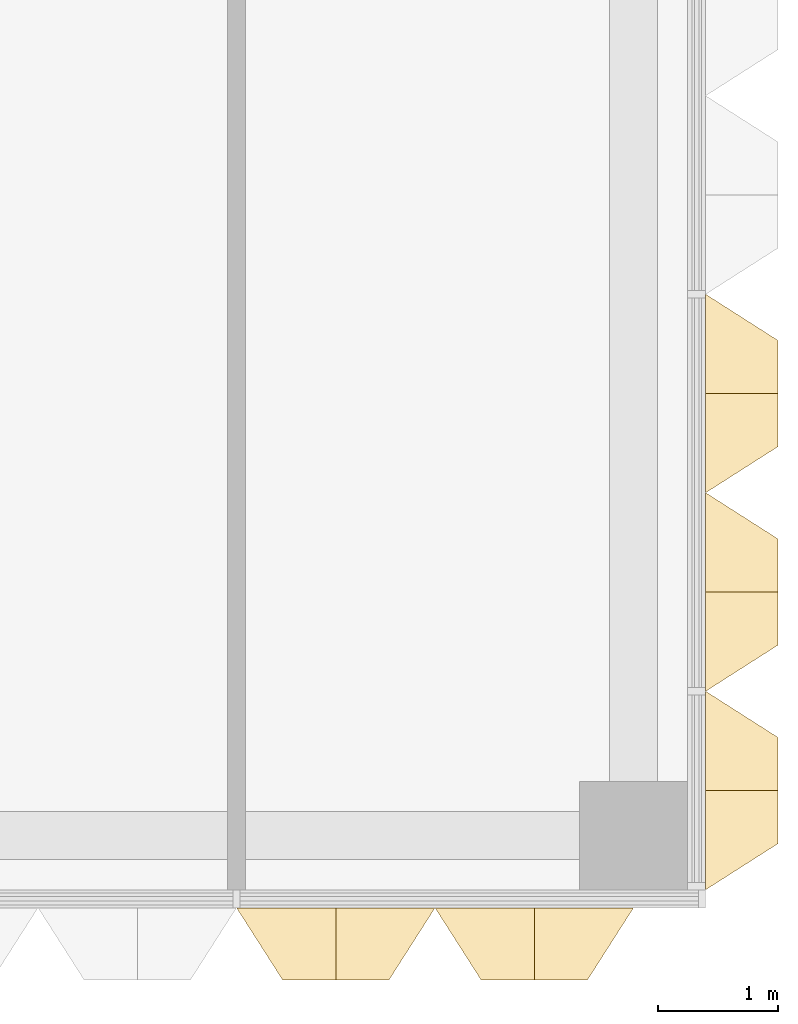
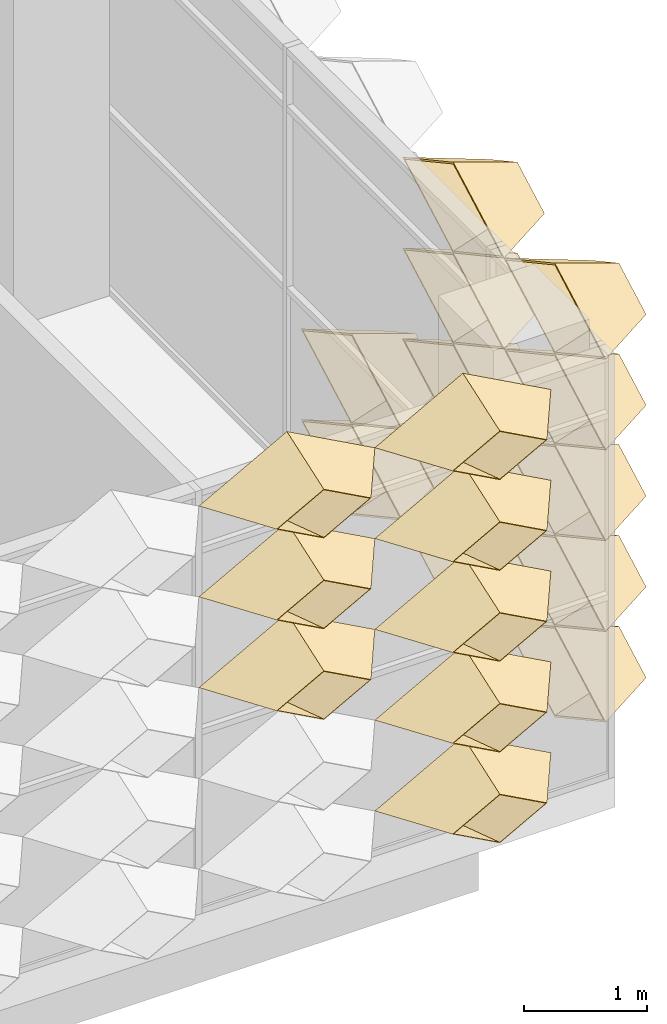
# One storey, part 79 of 109: 20 coverings.
"""IFC4 building model written with IfcOpenShell, lengths in metres."""

from ifc_helpers import new_model, entity, si_unit, direction, frame, origin, place, context, subcontext, project, spatial, material, layer, layer_set, type_object, element, save


model = new_model("IFC4")

# Units and contexts
model_context = context("Model", 3, precision=1e-05, world=origin(), true_north=direction((0.0, 1.0)))
body_context = subcontext(model_context, "Body", "Model", "MODEL_VIEW")
ifc_project = project(units=[si_unit("LENGTHUNIT", "METRE"), si_unit("AREAUNIT", "SQUARE_METRE"), si_unit("VOLUMEUNIT", "CUBIC_METRE"), si_unit("PLANEANGLEUNIT", "RADIAN"), si_unit("MASSUNIT", "GRAM", prefix="KILO")], contexts=[model_context])

# Site, building, storey
site_placement = place(None, origin())
site = spatial("IfcSite", under=ifc_project, at=site_placement, CompositionType="ELEMENT")
building_placement = place(site_placement, origin())
building = spatial("IfcBuilding", under=site, at=building_placement, Name="Lantern Court Research Institute", CompositionType="ELEMENT")
storey_placement = place(building_placement, frame((0.0, 0.0, 14.39990234375)))
storey = spatial("IfcBuildingStorey", under=building, at=storey_placement, Name="L03", CompositionType="ELEMENT", Elevation=14.39990234375)

# Coverings
ifc_material = material(Name="Anodised aluminium", Category="aluminium")
ifc_layer = layer(ifc_material, 0.01611328125)
ifc_layer_set = layer_set([ifc_layer], Name="Anodised aluminium")
covering_type = type_object("IfcCoveringType", Name="Fin cassette 1650 x 900 x 600 aluminium", PredefinedType="CLADDING", material=ifc_layer_set)
covering_1_placement = place(storey_placement, frame((79.800048828125, -7.425048828125, 0.4501953125), z_axis=(1.0, 0.0, 0.0), x_axis=(0.0, 1.0, 0.0)))
cartesian_point_1 = entity("IfcCartesianPoint", [0.824951171875, 0.0])
cartesian_point_2 = entity("IfcCartesianPoint", [0.79150390625, 0.0])
cartesian_point_3 = entity("IfcCartesianPoint", [0.44189453125, 0.0])
cartesian_point_4 = entity("IfcCartesianPoint", [0.43359375, 0.0])
element("IfcCovering", 1, at=covering_1_placement, inside=storey, type_object=covering_type, Name="Fin cassette V5E-L03 1.-4", PredefinedType="CLADDING", context=body_context, shape_type="SweptSolid", body=[
    entity("IfcExtrudedAreaSolidTapered", entity("IfcArbitraryProfileDefWithVoids", "AREA", None, entity("IfcPolyline", [cartesian_point_1, entity("IfcCartesianPoint", [0.0, 0.449951171875]), entity("IfcCartesianPoint", [-0.824951171875, 0.0]), entity("IfcCartesianPoint", [0.0, -0.449951171875]), cartesian_point_1]), [entity("IfcPolyline", [cartesian_point_2, entity("IfcCartesianPoint", [0.0, 0.431884765625]), entity("IfcCartesianPoint", [-0.79150390625, 0.0]), entity("IfcCartesianPoint", [0.0, -0.431884765625]), cartesian_point_2])]), entity("IfcAxis2Placement3D", entity("IfcCartesianPoint", [0.0, 0.0, 0.0])), entity("IfcDirection", [0.0, 0.0, 1.0]), 0.60009765625, entity("IfcArbitraryProfileDefWithVoids", "AREA", None, entity("IfcPolyline", [cartesian_point_3, entity("IfcCartesianPoint", [0.0, 0.240966796875]), entity("IfcCartesianPoint", [-0.44189453125, 0.0]), entity("IfcCartesianPoint", [0.0, -0.240966796875]), cartesian_point_3]), [entity("IfcPolyline", [cartesian_point_4, entity("IfcCartesianPoint", [0.0, 0.236572265625]), entity("IfcCartesianPoint", [-0.43359375, 0.0]), entity("IfcCartesianPoint", [0.0, -0.236572265625]), cartesian_point_4])])),
])
covering_2_placement = place(storey_placement, frame((79.800048828125, -5.77490234375, 0.4501953125), z_axis=(1.0, 0.0, 0.0), x_axis=(0.0, 1.0, 0.0)))
cartesian_point_5 = entity("IfcCartesianPoint", [0.824951171875, 0.0])
cartesian_point_6 = entity("IfcCartesianPoint", [0.79150390625, 0.0])
cartesian_point_7 = entity("IfcCartesianPoint", [0.44189453125, 0.0])
cartesian_point_8 = entity("IfcCartesianPoint", [0.43359375, 0.0])
element("IfcCovering", 2, at=covering_2_placement, inside=storey, type_object=covering_type, Name="Fin cassette V5E-L03 1.-3", PredefinedType="CLADDING", context=body_context, shape_type="SweptSolid", body=[
    entity("IfcExtrudedAreaSolidTapered", entity("IfcArbitraryProfileDefWithVoids", "AREA", None, entity("IfcPolyline", [cartesian_point_5, entity("IfcCartesianPoint", [0.0, 0.449951171875]), entity("IfcCartesianPoint", [-0.824951171875, 0.0]), entity("IfcCartesianPoint", [0.0, -0.449951171875]), cartesian_point_5]), [entity("IfcPolyline", [cartesian_point_6, entity("IfcCartesianPoint", [0.0, 0.431884765625]), entity("IfcCartesianPoint", [-0.79150390625, 0.0]), entity("IfcCartesianPoint", [0.0, -0.431884765625]), cartesian_point_6])]), entity("IfcAxis2Placement3D", entity("IfcCartesianPoint", [0.0, 0.0, 0.0])), entity("IfcDirection", [0.0, 0.0, 1.0]), 0.60009765625, entity("IfcArbitraryProfileDefWithVoids", "AREA", None, entity("IfcPolyline", [cartesian_point_7, entity("IfcCartesianPoint", [0.0, 0.240966796875]), entity("IfcCartesianPoint", [-0.44189453125, 0.0]), entity("IfcCartesianPoint", [0.0, -0.240966796875]), cartesian_point_7]), [entity("IfcPolyline", [cartesian_point_8, entity("IfcCartesianPoint", [0.0, 0.236572265625]), entity("IfcCartesianPoint", [-0.43359375, 0.0]), entity("IfcCartesianPoint", [0.0, -0.236572265625]), cartesian_point_8])])),
])
covering_3_placement = place(storey_placement, frame((79.800048828125, -4.125, 0.4501953125), z_axis=(1.0, 0.0, 0.0), x_axis=(0.0, 1.0, 0.0)))
cartesian_point_9 = entity("IfcCartesianPoint", [0.824951171875, 0.0])
cartesian_point_10 = entity("IfcCartesianPoint", [0.79150390625, 0.0])
cartesian_point_11 = entity("IfcCartesianPoint", [0.44189453125, 0.0])
cartesian_point_12 = entity("IfcCartesianPoint", [0.43359375, 0.0])
element("IfcCovering", 3, at=covering_3_placement, inside=storey, type_object=covering_type, Name="Fin cassette V5E-L03 1.-2", PredefinedType="CLADDING", context=body_context, shape_type="SweptSolid", body=[
    entity("IfcExtrudedAreaSolidTapered", entity("IfcArbitraryProfileDefWithVoids", "AREA", None, entity("IfcPolyline", [cartesian_point_9, entity("IfcCartesianPoint", [0.0, 0.449951171875]), entity("IfcCartesianPoint", [-0.824951171875, 0.0]), entity("IfcCartesianPoint", [0.0, -0.449951171875]), cartesian_point_9]), [entity("IfcPolyline", [cartesian_point_10, entity("IfcCartesianPoint", [0.0, 0.431884765625]), entity("IfcCartesianPoint", [-0.79150390625, 0.0]), entity("IfcCartesianPoint", [0.0, -0.431884765625]), cartesian_point_10])]), entity("IfcAxis2Placement3D", entity("IfcCartesianPoint", [0.0, 0.0, 0.0])), entity("IfcDirection", [0.0, 0.0, 1.0]), 0.60009765625, entity("IfcArbitraryProfileDefWithVoids", "AREA", None, entity("IfcPolyline", [cartesian_point_11, entity("IfcCartesianPoint", [0.0, 0.240966796875]), entity("IfcCartesianPoint", [-0.44189453125, 0.0]), entity("IfcCartesianPoint", [0.0, -0.240966796875]), cartesian_point_11]), [entity("IfcPolyline", [cartesian_point_12, entity("IfcCartesianPoint", [0.0, 0.236572265625]), entity("IfcCartesianPoint", [-0.43359375, 0.0]), entity("IfcCartesianPoint", [0.0, -0.236572265625]), cartesian_point_12])])),
])
covering_4_placement = place(storey_placement, frame((79.800048828125, -7.425048828125, 1.35009765625), z_axis=(1.0, 0.0, 0.0), x_axis=(0.0, 1.0, 0.0)))
cartesian_point_13 = entity("IfcCartesianPoint", [0.824951171875, 0.0])
cartesian_point_14 = entity("IfcCartesianPoint", [0.79150390625, 0.0])
cartesian_point_15 = entity("IfcCartesianPoint", [0.44189453125, 0.0])
cartesian_point_16 = entity("IfcCartesianPoint", [0.43359375, 0.0])
element("IfcCovering", 4, at=covering_4_placement, inside=storey, type_object=covering_type, Name="Fin cassette V5E-L03 2.-4", PredefinedType="CLADDING", context=body_context, shape_type="SweptSolid", body=[
    entity("IfcExtrudedAreaSolidTapered", entity("IfcArbitraryProfileDefWithVoids", "AREA", None, entity("IfcPolyline", [cartesian_point_13, entity("IfcCartesianPoint", [0.0, 0.449951171875]), entity("IfcCartesianPoint", [-0.824951171875, 0.0]), entity("IfcCartesianPoint", [0.0, -0.449951171875]), cartesian_point_13]), [entity("IfcPolyline", [cartesian_point_14, entity("IfcCartesianPoint", [0.0, 0.431884765625]), entity("IfcCartesianPoint", [-0.79150390625, 0.0]), entity("IfcCartesianPoint", [0.0, -0.431884765625]), cartesian_point_14])]), entity("IfcAxis2Placement3D", entity("IfcCartesianPoint", [0.0, 0.0, 0.0])), entity("IfcDirection", [0.0, 0.0, 1.0]), 0.60009765625, entity("IfcArbitraryProfileDefWithVoids", "AREA", None, entity("IfcPolyline", [cartesian_point_15, entity("IfcCartesianPoint", [0.0, 0.240966796875]), entity("IfcCartesianPoint", [-0.44189453125, 0.0]), entity("IfcCartesianPoint", [0.0, -0.240966796875]), cartesian_point_15]), [entity("IfcPolyline", [cartesian_point_16, entity("IfcCartesianPoint", [0.0, 0.236572265625]), entity("IfcCartesianPoint", [-0.43359375, 0.0]), entity("IfcCartesianPoint", [0.0, -0.236572265625]), cartesian_point_16])])),
])
covering_5_placement = place(storey_placement, frame((79.800048828125, -5.77490234375, 1.35009765625), z_axis=(1.0, 0.0, 0.0), x_axis=(0.0, 1.0, 0.0)))
cartesian_point_17 = entity("IfcCartesianPoint", [0.824951171875, 0.0])
cartesian_point_18 = entity("IfcCartesianPoint", [0.79150390625, 0.0])
cartesian_point_19 = entity("IfcCartesianPoint", [0.44189453125, 0.0])
cartesian_point_20 = entity("IfcCartesianPoint", [0.43359375, 0.0])
element("IfcCovering", 5, at=covering_5_placement, inside=storey, type_object=covering_type, Name="Fin cassette V5E-L03 2.-3", PredefinedType="CLADDING", context=body_context, shape_type="SweptSolid", body=[
    entity("IfcExtrudedAreaSolidTapered", entity("IfcArbitraryProfileDefWithVoids", "AREA", None, entity("IfcPolyline", [cartesian_point_17, entity("IfcCartesianPoint", [0.0, 0.449951171875]), entity("IfcCartesianPoint", [-0.824951171875, 0.0]), entity("IfcCartesianPoint", [0.0, -0.449951171875]), cartesian_point_17]), [entity("IfcPolyline", [cartesian_point_18, entity("IfcCartesianPoint", [0.0, 0.431884765625]), entity("IfcCartesianPoint", [-0.79150390625, 0.0]), entity("IfcCartesianPoint", [0.0, -0.431884765625]), cartesian_point_18])]), entity("IfcAxis2Placement3D", entity("IfcCartesianPoint", [0.0, 0.0, 0.0])), entity("IfcDirection", [0.0, 0.0, 1.0]), 0.60009765625, entity("IfcArbitraryProfileDefWithVoids", "AREA", None, entity("IfcPolyline", [cartesian_point_19, entity("IfcCartesianPoint", [0.0, 0.240966796875]), entity("IfcCartesianPoint", [-0.44189453125, 0.0]), entity("IfcCartesianPoint", [0.0, -0.240966796875]), cartesian_point_19]), [entity("IfcPolyline", [cartesian_point_20, entity("IfcCartesianPoint", [0.0, 0.236572265625]), entity("IfcCartesianPoint", [-0.43359375, 0.0]), entity("IfcCartesianPoint", [0.0, -0.236572265625]), cartesian_point_20])])),
])
covering_6_placement = place(storey_placement, frame((79.800048828125, -4.125, 1.35009765625), z_axis=(1.0, 0.0, 0.0), x_axis=(0.0, 1.0, 0.0)))
cartesian_point_21 = entity("IfcCartesianPoint", [0.824951171875, 0.0])
cartesian_point_22 = entity("IfcCartesianPoint", [0.79150390625, 0.0])
cartesian_point_23 = entity("IfcCartesianPoint", [0.44189453125, 0.0])
cartesian_point_24 = entity("IfcCartesianPoint", [0.43359375, 0.0])
element("IfcCovering", 6, at=covering_6_placement, inside=storey, type_object=covering_type, Name="Fin cassette V5E-L03 2.-2", PredefinedType="CLADDING", context=body_context, shape_type="SweptSolid", body=[
    entity("IfcExtrudedAreaSolidTapered", entity("IfcArbitraryProfileDefWithVoids", "AREA", None, entity("IfcPolyline", [cartesian_point_21, entity("IfcCartesianPoint", [0.0, 0.449951171875]), entity("IfcCartesianPoint", [-0.824951171875, 0.0]), entity("IfcCartesianPoint", [0.0, -0.449951171875]), cartesian_point_21]), [entity("IfcPolyline", [cartesian_point_22, entity("IfcCartesianPoint", [0.0, 0.431884765625]), entity("IfcCartesianPoint", [-0.79150390625, 0.0]), entity("IfcCartesianPoint", [0.0, -0.431884765625]), cartesian_point_22])]), entity("IfcAxis2Placement3D", entity("IfcCartesianPoint", [0.0, 0.0, 0.0])), entity("IfcDirection", [0.0, 0.0, 1.0]), 0.60009765625, entity("IfcArbitraryProfileDefWithVoids", "AREA", None, entity("IfcPolyline", [cartesian_point_23, entity("IfcCartesianPoint", [0.0, 0.240966796875]), entity("IfcCartesianPoint", [-0.44189453125, 0.0]), entity("IfcCartesianPoint", [0.0, -0.240966796875]), cartesian_point_23]), [entity("IfcPolyline", [cartesian_point_24, entity("IfcCartesianPoint", [0.0, 0.236572265625]), entity("IfcCartesianPoint", [-0.43359375, 0.0]), entity("IfcCartesianPoint", [0.0, -0.236572265625]), cartesian_point_24])])),
])
covering_7_placement = place(storey_placement, frame((79.800048828125, -7.425048828125, 2.25), z_axis=(1.0, 0.0, 0.0), x_axis=(0.0, 1.0, 0.0)))
cartesian_point_25 = entity("IfcCartesianPoint", [0.824951171875, 0.0])
cartesian_point_26 = entity("IfcCartesianPoint", [0.79150390625, 0.0])
cartesian_point_27 = entity("IfcCartesianPoint", [0.44189453125, 0.0])
cartesian_point_28 = entity("IfcCartesianPoint", [0.43359375, 0.0])
element("IfcCovering", 7, at=covering_7_placement, inside=storey, type_object=covering_type, Name="Fin cassette V5E-L03 3.-4", PredefinedType="CLADDING", context=body_context, shape_type="SweptSolid", body=[
    entity("IfcExtrudedAreaSolidTapered", entity("IfcArbitraryProfileDefWithVoids", "AREA", None, entity("IfcPolyline", [cartesian_point_25, entity("IfcCartesianPoint", [0.0, 0.449951171875]), entity("IfcCartesianPoint", [-0.824951171875, 0.0]), entity("IfcCartesianPoint", [0.0, -0.449951171875]), cartesian_point_25]), [entity("IfcPolyline", [cartesian_point_26, entity("IfcCartesianPoint", [0.0, 0.431884765625]), entity("IfcCartesianPoint", [-0.79150390625, 0.0]), entity("IfcCartesianPoint", [0.0, -0.431884765625]), cartesian_point_26])]), entity("IfcAxis2Placement3D", entity("IfcCartesianPoint", [0.0, 0.0, 0.0])), entity("IfcDirection", [0.0, 0.0, 1.0]), 0.60009765625, entity("IfcArbitraryProfileDefWithVoids", "AREA", None, entity("IfcPolyline", [cartesian_point_27, entity("IfcCartesianPoint", [0.0, 0.240966796875]), entity("IfcCartesianPoint", [-0.44189453125, 0.0]), entity("IfcCartesianPoint", [0.0, -0.240966796875]), cartesian_point_27]), [entity("IfcPolyline", [cartesian_point_28, entity("IfcCartesianPoint", [0.0, 0.236572265625]), entity("IfcCartesianPoint", [-0.43359375, 0.0]), entity("IfcCartesianPoint", [0.0, -0.236572265625]), cartesian_point_28])])),
])
covering_8_placement = place(storey_placement, frame((79.800048828125, -5.77490234375, 2.25), z_axis=(1.0, 0.0, 0.0), x_axis=(0.0, 1.0, 0.0)))
cartesian_point_29 = entity("IfcCartesianPoint", [0.824951171875, 0.0])
cartesian_point_30 = entity("IfcCartesianPoint", [0.79150390625, 0.0])
cartesian_point_31 = entity("IfcCartesianPoint", [0.44189453125, 0.0])
cartesian_point_32 = entity("IfcCartesianPoint", [0.43359375, 0.0])
element("IfcCovering", 8, at=covering_8_placement, inside=storey, type_object=covering_type, Name="Fin cassette V5E-L03 3.-3", PredefinedType="CLADDING", context=body_context, shape_type="SweptSolid", body=[
    entity("IfcExtrudedAreaSolidTapered", entity("IfcArbitraryProfileDefWithVoids", "AREA", None, entity("IfcPolyline", [cartesian_point_29, entity("IfcCartesianPoint", [0.0, 0.449951171875]), entity("IfcCartesianPoint", [-0.824951171875, 0.0]), entity("IfcCartesianPoint", [0.0, -0.449951171875]), cartesian_point_29]), [entity("IfcPolyline", [cartesian_point_30, entity("IfcCartesianPoint", [0.0, 0.431884765625]), entity("IfcCartesianPoint", [-0.79150390625, 0.0]), entity("IfcCartesianPoint", [0.0, -0.431884765625]), cartesian_point_30])]), entity("IfcAxis2Placement3D", entity("IfcCartesianPoint", [0.0, 0.0, 0.0])), entity("IfcDirection", [0.0, 0.0, 1.0]), 0.60009765625, entity("IfcArbitraryProfileDefWithVoids", "AREA", None, entity("IfcPolyline", [cartesian_point_31, entity("IfcCartesianPoint", [0.0, 0.240966796875]), entity("IfcCartesianPoint", [-0.44189453125, 0.0]), entity("IfcCartesianPoint", [0.0, -0.240966796875]), cartesian_point_31]), [entity("IfcPolyline", [cartesian_point_32, entity("IfcCartesianPoint", [0.0, 0.236572265625]), entity("IfcCartesianPoint", [-0.43359375, 0.0]), entity("IfcCartesianPoint", [0.0, -0.236572265625]), cartesian_point_32])])),
])
covering_9_placement = place(storey_placement, frame((79.800048828125, -7.425048828125, 3.150146484375), z_axis=(1.0, 0.0, 0.0), x_axis=(0.0, 1.0, 0.0)))
cartesian_point_33 = entity("IfcCartesianPoint", [0.824951171875, 0.0])
cartesian_point_34 = entity("IfcCartesianPoint", [0.79150390625, 0.0])
cartesian_point_35 = entity("IfcCartesianPoint", [0.44189453125, 0.0])
cartesian_point_36 = entity("IfcCartesianPoint", [0.43359375, 0.0])
element("IfcCovering", 9, at=covering_9_placement, inside=storey, type_object=covering_type, Name="Fin cassette V5E-L03 4.-4", PredefinedType="CLADDING", context=body_context, shape_type="SweptSolid", body=[
    entity("IfcExtrudedAreaSolidTapered", entity("IfcArbitraryProfileDefWithVoids", "AREA", None, entity("IfcPolyline", [cartesian_point_33, entity("IfcCartesianPoint", [0.0, 0.449951171875]), entity("IfcCartesianPoint", [-0.824951171875, 0.0]), entity("IfcCartesianPoint", [0.0, -0.449951171875]), cartesian_point_33]), [entity("IfcPolyline", [cartesian_point_34, entity("IfcCartesianPoint", [0.0, 0.431884765625]), entity("IfcCartesianPoint", [-0.79150390625, 0.0]), entity("IfcCartesianPoint", [0.0, -0.431884765625]), cartesian_point_34])]), entity("IfcAxis2Placement3D", entity("IfcCartesianPoint", [0.0, 0.0, 0.0])), entity("IfcDirection", [0.0, 0.0, 1.0]), 0.60009765625, entity("IfcArbitraryProfileDefWithVoids", "AREA", None, entity("IfcPolyline", [cartesian_point_35, entity("IfcCartesianPoint", [0.0, 0.240966796875]), entity("IfcCartesianPoint", [-0.44189453125, 0.0]), entity("IfcCartesianPoint", [0.0, -0.240966796875]), cartesian_point_35]), [entity("IfcPolyline", [cartesian_point_36, entity("IfcCartesianPoint", [0.0, 0.236572265625]), entity("IfcCartesianPoint", [-0.43359375, 0.0]), entity("IfcCartesianPoint", [0.0, -0.236572265625]), cartesian_point_36])])),
])
covering_10_placement = place(storey_placement, frame((79.800048828125, -5.77490234375, 3.150146484375), z_axis=(1.0, 0.0, 0.0), x_axis=(0.0, 1.0, 0.0)))
cartesian_point_37 = entity("IfcCartesianPoint", [0.824951171875, 0.0])
cartesian_point_38 = entity("IfcCartesianPoint", [0.79150390625, 0.0])
cartesian_point_39 = entity("IfcCartesianPoint", [0.44189453125, 0.0])
cartesian_point_40 = entity("IfcCartesianPoint", [0.43359375, 0.0])
element("IfcCovering", 10, at=covering_10_placement, inside=storey, type_object=covering_type, Name="Fin cassette V5E-L03 4.-3", PredefinedType="CLADDING", context=body_context, shape_type="SweptSolid", body=[
    entity("IfcExtrudedAreaSolidTapered", entity("IfcArbitraryProfileDefWithVoids", "AREA", None, entity("IfcPolyline", [cartesian_point_37, entity("IfcCartesianPoint", [0.0, 0.449951171875]), entity("IfcCartesianPoint", [-0.824951171875, 0.0]), entity("IfcCartesianPoint", [0.0, -0.449951171875]), cartesian_point_37]), [entity("IfcPolyline", [cartesian_point_38, entity("IfcCartesianPoint", [0.0, 0.431884765625]), entity("IfcCartesianPoint", [-0.79150390625, 0.0]), entity("IfcCartesianPoint", [0.0, -0.431884765625]), cartesian_point_38])]), entity("IfcAxis2Placement3D", entity("IfcCartesianPoint", [0.0, 0.0, 0.0])), entity("IfcDirection", [0.0, 0.0, 1.0]), 0.60009765625, entity("IfcArbitraryProfileDefWithVoids", "AREA", None, entity("IfcPolyline", [cartesian_point_39, entity("IfcCartesianPoint", [0.0, 0.240966796875]), entity("IfcCartesianPoint", [-0.44189453125, 0.0]), entity("IfcCartesianPoint", [0.0, -0.240966796875]), cartesian_point_39]), [entity("IfcPolyline", [cartesian_point_40, entity("IfcCartesianPoint", [0.0, 0.236572265625]), entity("IfcCartesianPoint", [-0.43359375, 0.0]), entity("IfcCartesianPoint", [0.0, -0.236572265625]), cartesian_point_40])])),
])
covering_11_placement = place(storey_placement, frame((79.800048828125, -7.425048828125, 4.050048828125), z_axis=(1.0, 0.0, 0.0), x_axis=(0.0, 1.0, 0.0)))
cartesian_point_41 = entity("IfcCartesianPoint", [0.824951171875, 0.0])
cartesian_point_42 = entity("IfcCartesianPoint", [0.79150390625, 0.0])
cartesian_point_43 = entity("IfcCartesianPoint", [0.44189453125, 0.0])
cartesian_point_44 = entity("IfcCartesianPoint", [0.43359375, 0.0])
element("IfcCovering", 11, at=covering_11_placement, inside=storey, type_object=covering_type, Name="Fin cassette V5E-L03 5.-4", PredefinedType="CLADDING", context=body_context, shape_type="SweptSolid", body=[
    entity("IfcExtrudedAreaSolidTapered", entity("IfcArbitraryProfileDefWithVoids", "AREA", None, entity("IfcPolyline", [cartesian_point_41, entity("IfcCartesianPoint", [0.0, 0.449951171875]), entity("IfcCartesianPoint", [-0.824951171875, 0.0]), entity("IfcCartesianPoint", [0.0, -0.449951171875]), cartesian_point_41]), [entity("IfcPolyline", [cartesian_point_42, entity("IfcCartesianPoint", [0.0, 0.431884765625]), entity("IfcCartesianPoint", [-0.79150390625, 0.0]), entity("IfcCartesianPoint", [0.0, -0.431884765625]), cartesian_point_42])]), entity("IfcAxis2Placement3D", entity("IfcCartesianPoint", [0.0, 0.0, 0.0])), entity("IfcDirection", [0.0, 0.0, 1.0]), 0.60009765625, entity("IfcArbitraryProfileDefWithVoids", "AREA", None, entity("IfcPolyline", [cartesian_point_43, entity("IfcCartesianPoint", [0.0, 0.240966796875]), entity("IfcCartesianPoint", [-0.44189453125, 0.0]), entity("IfcCartesianPoint", [0.0, -0.240966796875]), cartesian_point_43]), [entity("IfcPolyline", [cartesian_point_44, entity("IfcCartesianPoint", [0.0, 0.236572265625]), entity("IfcCartesianPoint", [-0.43359375, 0.0]), entity("IfcCartesianPoint", [0.0, -0.236572265625]), cartesian_point_44])])),
])
covering_12_placement = place(storey_placement, frame((79.800048828125, -5.77490234375, 4.050048828125), z_axis=(1.0, 0.0, 0.0), x_axis=(0.0, 1.0, 0.0)))
cartesian_point_45 = entity("IfcCartesianPoint", [0.824951171875, 0.0])
cartesian_point_46 = entity("IfcCartesianPoint", [0.79150390625, 0.0])
cartesian_point_47 = entity("IfcCartesianPoint", [0.44189453125, 0.0])
cartesian_point_48 = entity("IfcCartesianPoint", [0.43359375, 0.0])
element("IfcCovering", 12, at=covering_12_placement, inside=storey, type_object=covering_type, Name="Fin cassette V5E-L03 5.-3", PredefinedType="CLADDING", context=body_context, shape_type="SweptSolid", body=[
    entity("IfcExtrudedAreaSolidTapered", entity("IfcArbitraryProfileDefWithVoids", "AREA", None, entity("IfcPolyline", [cartesian_point_45, entity("IfcCartesianPoint", [0.0, 0.449951171875]), entity("IfcCartesianPoint", [-0.824951171875, 0.0]), entity("IfcCartesianPoint", [0.0, -0.449951171875]), cartesian_point_45]), [entity("IfcPolyline", [cartesian_point_46, entity("IfcCartesianPoint", [0.0, 0.431884765625]), entity("IfcCartesianPoint", [-0.79150390625, 0.0]), entity("IfcCartesianPoint", [0.0, -0.431884765625]), cartesian_point_46])]), entity("IfcAxis2Placement3D", entity("IfcCartesianPoint", [0.0, 0.0, 0.0])), entity("IfcDirection", [0.0, 0.0, 1.0]), 0.60009765625, entity("IfcArbitraryProfileDefWithVoids", "AREA", None, entity("IfcPolyline", [cartesian_point_47, entity("IfcCartesianPoint", [0.0, 0.240966796875]), entity("IfcCartesianPoint", [-0.44189453125, 0.0]), entity("IfcCartesianPoint", [0.0, -0.240966796875]), cartesian_point_47]), [entity("IfcPolyline", [cartesian_point_48, entity("IfcCartesianPoint", [0.0, 0.236572265625]), entity("IfcCartesianPoint", [-0.43359375, 0.0]), entity("IfcCartesianPoint", [0.0, -0.236572265625]), cartesian_point_48])])),
])
covering_13_placement = place(storey_placement, frame((78.375, -8.39990234375, 0.4501953125), z_axis=(0.0, -1.0, 0.0), x_axis=(1.0, 0.0, 0.0)))
cartesian_point_49 = entity("IfcCartesianPoint", [0.824951171875, 0.0])
cartesian_point_50 = entity("IfcCartesianPoint", [0.79150390625, 0.0])
cartesian_point_51 = entity("IfcCartesianPoint", [0.44189453125, 0.0])
cartesian_point_52 = entity("IfcCartesianPoint", [0.43359375, 0.0])
element("IfcCovering", 13, at=covering_13_placement, inside=storey, type_object=covering_type, Name="Fin cassette V5S-L03 1.48", PredefinedType="CLADDING", context=body_context, shape_type="SweptSolid", body=[
    entity("IfcExtrudedAreaSolidTapered", entity("IfcArbitraryProfileDefWithVoids", "AREA", None, entity("IfcPolyline", [cartesian_point_49, entity("IfcCartesianPoint", [0.0, 0.449951171875]), entity("IfcCartesianPoint", [-0.824951171875, 0.0]), entity("IfcCartesianPoint", [0.0, -0.449951171875]), cartesian_point_49]), [entity("IfcPolyline", [cartesian_point_50, entity("IfcCartesianPoint", [0.0, 0.431884765625]), entity("IfcCartesianPoint", [-0.79150390625, 0.0]), entity("IfcCartesianPoint", [0.0, -0.431884765625]), cartesian_point_50])]), entity("IfcAxis2Placement3D", entity("IfcCartesianPoint", [0.0, 0.0, 0.0])), entity("IfcDirection", [0.0, 0.0, 1.0]), 0.60009765625, entity("IfcArbitraryProfileDefWithVoids", "AREA", None, entity("IfcPolyline", [cartesian_point_51, entity("IfcCartesianPoint", [0.0, 0.240966796875]), entity("IfcCartesianPoint", [-0.44189453125, 0.0]), entity("IfcCartesianPoint", [0.0, -0.240966796875]), cartesian_point_51]), [entity("IfcPolyline", [cartesian_point_52, entity("IfcCartesianPoint", [0.0, 0.236572265625]), entity("IfcCartesianPoint", [-0.43359375, 0.0]), entity("IfcCartesianPoint", [0.0, -0.236572265625]), cartesian_point_52])])),
])
covering_14_placement = place(storey_placement, frame((78.375, -8.39990234375, 1.35009765625), z_axis=(0.0, -1.0, 0.0), x_axis=(1.0, 0.0, 0.0)))
cartesian_point_53 = entity("IfcCartesianPoint", [0.824951171875, 0.0])
cartesian_point_54 = entity("IfcCartesianPoint", [0.79150390625, 0.0])
cartesian_point_55 = entity("IfcCartesianPoint", [0.44189453125, 0.0])
cartesian_point_56 = entity("IfcCartesianPoint", [0.43359375, 0.0])
element("IfcCovering", 14, at=covering_14_placement, inside=storey, type_object=covering_type, Name="Fin cassette V5S-L03 2.48", PredefinedType="CLADDING", context=body_context, shape_type="SweptSolid", body=[
    entity("IfcExtrudedAreaSolidTapered", entity("IfcArbitraryProfileDefWithVoids", "AREA", None, entity("IfcPolyline", [cartesian_point_53, entity("IfcCartesianPoint", [0.0, 0.449951171875]), entity("IfcCartesianPoint", [-0.824951171875, 0.0]), entity("IfcCartesianPoint", [0.0, -0.449951171875]), cartesian_point_53]), [entity("IfcPolyline", [cartesian_point_54, entity("IfcCartesianPoint", [0.0, 0.431884765625]), entity("IfcCartesianPoint", [-0.79150390625, 0.0]), entity("IfcCartesianPoint", [0.0, -0.431884765625]), cartesian_point_54])]), entity("IfcAxis2Placement3D", entity("IfcCartesianPoint", [0.0, 0.0, 0.0])), entity("IfcDirection", [0.0, 0.0, 1.0]), 0.60009765625, entity("IfcArbitraryProfileDefWithVoids", "AREA", None, entity("IfcPolyline", [cartesian_point_55, entity("IfcCartesianPoint", [0.0, 0.240966796875]), entity("IfcCartesianPoint", [-0.44189453125, 0.0]), entity("IfcCartesianPoint", [0.0, -0.240966796875]), cartesian_point_55]), [entity("IfcPolyline", [cartesian_point_56, entity("IfcCartesianPoint", [0.0, 0.236572265625]), entity("IfcCartesianPoint", [-0.43359375, 0.0]), entity("IfcCartesianPoint", [0.0, -0.236572265625]), cartesian_point_56])])),
])
covering_15_placement = place(storey_placement, frame((76.72509765625, -8.39990234375, 2.25), z_axis=(0.0, -1.0, 0.0), x_axis=(1.0, 0.0, 0.0)))
cartesian_point_57 = entity("IfcCartesianPoint", [0.824951171875, 0.0])
cartesian_point_58 = entity("IfcCartesianPoint", [0.79150390625, 0.0])
cartesian_point_59 = entity("IfcCartesianPoint", [0.44189453125, 0.0])
cartesian_point_60 = entity("IfcCartesianPoint", [0.43359375, 0.0])
element("IfcCovering", 15, at=covering_15_placement, inside=storey, type_object=covering_type, Name="Fin cassette V5S-L03 3.47", PredefinedType="CLADDING", context=body_context, shape_type="SweptSolid", body=[
    entity("IfcExtrudedAreaSolidTapered", entity("IfcArbitraryProfileDefWithVoids", "AREA", None, entity("IfcPolyline", [cartesian_point_57, entity("IfcCartesianPoint", [0.0, 0.449951171875]), entity("IfcCartesianPoint", [-0.824951171875, 0.0]), entity("IfcCartesianPoint", [0.0, -0.449951171875]), cartesian_point_57]), [entity("IfcPolyline", [cartesian_point_58, entity("IfcCartesianPoint", [0.0, 0.431884765625]), entity("IfcCartesianPoint", [-0.79150390625, 0.0]), entity("IfcCartesianPoint", [0.0, -0.431884765625]), cartesian_point_58])]), entity("IfcAxis2Placement3D", entity("IfcCartesianPoint", [0.0, 0.0, 0.0])), entity("IfcDirection", [0.0, 0.0, 1.0]), 0.60009765625, entity("IfcArbitraryProfileDefWithVoids", "AREA", None, entity("IfcPolyline", [cartesian_point_59, entity("IfcCartesianPoint", [0.0, 0.240966796875]), entity("IfcCartesianPoint", [-0.44189453125, 0.0]), entity("IfcCartesianPoint", [0.0, -0.240966796875]), cartesian_point_59]), [entity("IfcPolyline", [cartesian_point_60, entity("IfcCartesianPoint", [0.0, 0.236572265625]), entity("IfcCartesianPoint", [-0.43359375, 0.0]), entity("IfcCartesianPoint", [0.0, -0.236572265625]), cartesian_point_60])])),
])
covering_16_placement = place(storey_placement, frame((78.375, -8.39990234375, 2.25), z_axis=(0.0, -1.0, 0.0), x_axis=(1.0, 0.0, 0.0)))
cartesian_point_61 = entity("IfcCartesianPoint", [0.824951171875, 0.0])
cartesian_point_62 = entity("IfcCartesianPoint", [0.79150390625, 0.0])
cartesian_point_63 = entity("IfcCartesianPoint", [0.44189453125, 0.0])
cartesian_point_64 = entity("IfcCartesianPoint", [0.43359375, 0.0])
element("IfcCovering", 16, at=covering_16_placement, inside=storey, type_object=covering_type, Name="Fin cassette V5S-L03 3.48", PredefinedType="CLADDING", context=body_context, shape_type="SweptSolid", body=[
    entity("IfcExtrudedAreaSolidTapered", entity("IfcArbitraryProfileDefWithVoids", "AREA", None, entity("IfcPolyline", [cartesian_point_61, entity("IfcCartesianPoint", [0.0, 0.449951171875]), entity("IfcCartesianPoint", [-0.824951171875, 0.0]), entity("IfcCartesianPoint", [0.0, -0.449951171875]), cartesian_point_61]), [entity("IfcPolyline", [cartesian_point_62, entity("IfcCartesianPoint", [0.0, 0.431884765625]), entity("IfcCartesianPoint", [-0.79150390625, 0.0]), entity("IfcCartesianPoint", [0.0, -0.431884765625]), cartesian_point_62])]), entity("IfcAxis2Placement3D", entity("IfcCartesianPoint", [0.0, 0.0, 0.0])), entity("IfcDirection", [0.0, 0.0, 1.0]), 0.60009765625, entity("IfcArbitraryProfileDefWithVoids", "AREA", None, entity("IfcPolyline", [cartesian_point_63, entity("IfcCartesianPoint", [0.0, 0.240966796875]), entity("IfcCartesianPoint", [-0.44189453125, 0.0]), entity("IfcCartesianPoint", [0.0, -0.240966796875]), cartesian_point_63]), [entity("IfcPolyline", [cartesian_point_64, entity("IfcCartesianPoint", [0.0, 0.236572265625]), entity("IfcCartesianPoint", [-0.43359375, 0.0]), entity("IfcCartesianPoint", [0.0, -0.236572265625]), cartesian_point_64])])),
])
covering_17_placement = place(storey_placement, frame((76.72509765625, -8.39990234375, 3.150146484375), z_axis=(0.0, -1.0, 0.0), x_axis=(1.0, 0.0, 0.0)))
cartesian_point_65 = entity("IfcCartesianPoint", [0.824951171875, 0.0])
cartesian_point_66 = entity("IfcCartesianPoint", [0.79150390625, 0.0])
cartesian_point_67 = entity("IfcCartesianPoint", [0.44189453125, 0.0])
cartesian_point_68 = entity("IfcCartesianPoint", [0.43359375, 0.0])
element("IfcCovering", 17, at=covering_17_placement, inside=storey, type_object=covering_type, Name="Fin cassette V5S-L03 4.47", PredefinedType="CLADDING", context=body_context, shape_type="SweptSolid", body=[
    entity("IfcExtrudedAreaSolidTapered", entity("IfcArbitraryProfileDefWithVoids", "AREA", None, entity("IfcPolyline", [cartesian_point_65, entity("IfcCartesianPoint", [0.0, 0.449951171875]), entity("IfcCartesianPoint", [-0.824951171875, 0.0]), entity("IfcCartesianPoint", [0.0, -0.449951171875]), cartesian_point_65]), [entity("IfcPolyline", [cartesian_point_66, entity("IfcCartesianPoint", [0.0, 0.431884765625]), entity("IfcCartesianPoint", [-0.79150390625, 0.0]), entity("IfcCartesianPoint", [0.0, -0.431884765625]), cartesian_point_66])]), entity("IfcAxis2Placement3D", entity("IfcCartesianPoint", [0.0, 0.0, 0.0])), entity("IfcDirection", [0.0, 0.0, 1.0]), 0.60009765625, entity("IfcArbitraryProfileDefWithVoids", "AREA", None, entity("IfcPolyline", [cartesian_point_67, entity("IfcCartesianPoint", [0.0, 0.240966796875]), entity("IfcCartesianPoint", [-0.44189453125, 0.0]), entity("IfcCartesianPoint", [0.0, -0.240966796875]), cartesian_point_67]), [entity("IfcPolyline", [cartesian_point_68, entity("IfcCartesianPoint", [0.0, 0.236572265625]), entity("IfcCartesianPoint", [-0.43359375, 0.0]), entity("IfcCartesianPoint", [0.0, -0.236572265625]), cartesian_point_68])])),
])
covering_18_placement = place(storey_placement, frame((78.375, -8.39990234375, 3.150146484375), z_axis=(0.0, -1.0, 0.0), x_axis=(1.0, 0.0, 0.0)))
cartesian_point_69 = entity("IfcCartesianPoint", [0.824951171875, 0.0])
cartesian_point_70 = entity("IfcCartesianPoint", [0.79150390625, 0.0])
cartesian_point_71 = entity("IfcCartesianPoint", [0.44189453125, 0.0])
cartesian_point_72 = entity("IfcCartesianPoint", [0.43359375, 0.0])
element("IfcCovering", 18, at=covering_18_placement, inside=storey, type_object=covering_type, Name="Fin cassette V5S-L03 4.48", PredefinedType="CLADDING", context=body_context, shape_type="SweptSolid", body=[
    entity("IfcExtrudedAreaSolidTapered", entity("IfcArbitraryProfileDefWithVoids", "AREA", None, entity("IfcPolyline", [cartesian_point_69, entity("IfcCartesianPoint", [0.0, 0.449951171875]), entity("IfcCartesianPoint", [-0.824951171875, 0.0]), entity("IfcCartesianPoint", [0.0, -0.449951171875]), cartesian_point_69]), [entity("IfcPolyline", [cartesian_point_70, entity("IfcCartesianPoint", [0.0, 0.431884765625]), entity("IfcCartesianPoint", [-0.79150390625, 0.0]), entity("IfcCartesianPoint", [0.0, -0.431884765625]), cartesian_point_70])]), entity("IfcAxis2Placement3D", entity("IfcCartesianPoint", [0.0, 0.0, 0.0])), entity("IfcDirection", [0.0, 0.0, 1.0]), 0.60009765625, entity("IfcArbitraryProfileDefWithVoids", "AREA", None, entity("IfcPolyline", [cartesian_point_71, entity("IfcCartesianPoint", [0.0, 0.240966796875]), entity("IfcCartesianPoint", [-0.44189453125, 0.0]), entity("IfcCartesianPoint", [0.0, -0.240966796875]), cartesian_point_71]), [entity("IfcPolyline", [cartesian_point_72, entity("IfcCartesianPoint", [0.0, 0.236572265625]), entity("IfcCartesianPoint", [-0.43359375, 0.0]), entity("IfcCartesianPoint", [0.0, -0.236572265625]), cartesian_point_72])])),
])
covering_19_placement = place(storey_placement, frame((76.72509765625, -8.39990234375, 4.050048828125), z_axis=(0.0, -1.0, 0.0), x_axis=(1.0, 0.0, 0.0)))
cartesian_point_73 = entity("IfcCartesianPoint", [0.824951171875, 0.0])
cartesian_point_74 = entity("IfcCartesianPoint", [0.79150390625, 0.0])
cartesian_point_75 = entity("IfcCartesianPoint", [0.44189453125, 0.0])
cartesian_point_76 = entity("IfcCartesianPoint", [0.43359375, 0.0])
element("IfcCovering", 19, at=covering_19_placement, inside=storey, type_object=covering_type, Name="Fin cassette V5S-L03 5.47", PredefinedType="CLADDING", context=body_context, shape_type="SweptSolid", body=[
    entity("IfcExtrudedAreaSolidTapered", entity("IfcArbitraryProfileDefWithVoids", "AREA", None, entity("IfcPolyline", [cartesian_point_73, entity("IfcCartesianPoint", [0.0, 0.449951171875]), entity("IfcCartesianPoint", [-0.824951171875, 0.0]), entity("IfcCartesianPoint", [0.0, -0.449951171875]), cartesian_point_73]), [entity("IfcPolyline", [cartesian_point_74, entity("IfcCartesianPoint", [0.0, 0.431884765625]), entity("IfcCartesianPoint", [-0.79150390625, 0.0]), entity("IfcCartesianPoint", [0.0, -0.431884765625]), cartesian_point_74])]), entity("IfcAxis2Placement3D", entity("IfcCartesianPoint", [0.0, 0.0, 0.0])), entity("IfcDirection", [0.0, 0.0, 1.0]), 0.60009765625, entity("IfcArbitraryProfileDefWithVoids", "AREA", None, entity("IfcPolyline", [cartesian_point_75, entity("IfcCartesianPoint", [0.0, 0.240966796875]), entity("IfcCartesianPoint", [-0.44189453125, 0.0]), entity("IfcCartesianPoint", [0.0, -0.240966796875]), cartesian_point_75]), [entity("IfcPolyline", [cartesian_point_76, entity("IfcCartesianPoint", [0.0, 0.236572265625]), entity("IfcCartesianPoint", [-0.43359375, 0.0]), entity("IfcCartesianPoint", [0.0, -0.236572265625]), cartesian_point_76])])),
])
covering_20_placement = place(storey_placement, frame((78.375, -8.39990234375, 4.050048828125), z_axis=(0.0, -1.0, 0.0), x_axis=(1.0, 0.0, 0.0)))
cartesian_point_77 = entity("IfcCartesianPoint", [0.824951171875, 0.0])
cartesian_point_78 = entity("IfcCartesianPoint", [0.79150390625, 0.0])
cartesian_point_79 = entity("IfcCartesianPoint", [0.44189453125, 0.0])
cartesian_point_80 = entity("IfcCartesianPoint", [0.43359375, 0.0])
element("IfcCovering", 20, at=covering_20_placement, inside=storey, type_object=covering_type, Name="Fin cassette V5S-L03 5.48", PredefinedType="CLADDING", context=body_context, shape_type="SweptSolid", body=[
    entity("IfcExtrudedAreaSolidTapered", entity("IfcArbitraryProfileDefWithVoids", "AREA", None, entity("IfcPolyline", [cartesian_point_77, entity("IfcCartesianPoint", [0.0, 0.449951171875]), entity("IfcCartesianPoint", [-0.824951171875, 0.0]), entity("IfcCartesianPoint", [0.0, -0.449951171875]), cartesian_point_77]), [entity("IfcPolyline", [cartesian_point_78, entity("IfcCartesianPoint", [0.0, 0.431884765625]), entity("IfcCartesianPoint", [-0.79150390625, 0.0]), entity("IfcCartesianPoint", [0.0, -0.431884765625]), cartesian_point_78])]), entity("IfcAxis2Placement3D", entity("IfcCartesianPoint", [0.0, 0.0, 0.0])), entity("IfcDirection", [0.0, 0.0, 1.0]), 0.60009765625, entity("IfcArbitraryProfileDefWithVoids", "AREA", None, entity("IfcPolyline", [cartesian_point_79, entity("IfcCartesianPoint", [0.0, 0.240966796875]), entity("IfcCartesianPoint", [-0.44189453125, 0.0]), entity("IfcCartesianPoint", [0.0, -0.240966796875]), cartesian_point_79]), [entity("IfcPolyline", [cartesian_point_80, entity("IfcCartesianPoint", [0.0, 0.236572265625]), entity("IfcCartesianPoint", [-0.43359375, 0.0]), entity("IfcCartesianPoint", [0.0, -0.236572265625]), cartesian_point_80])])),
])

save(model, "model.ifc")
